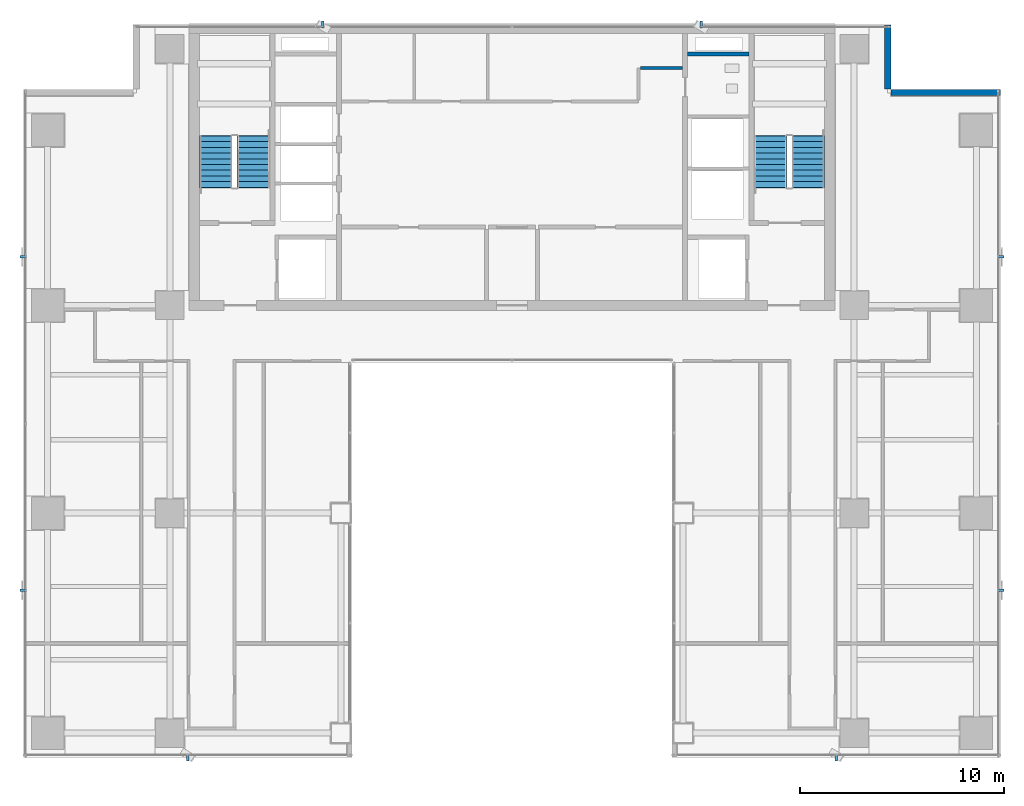
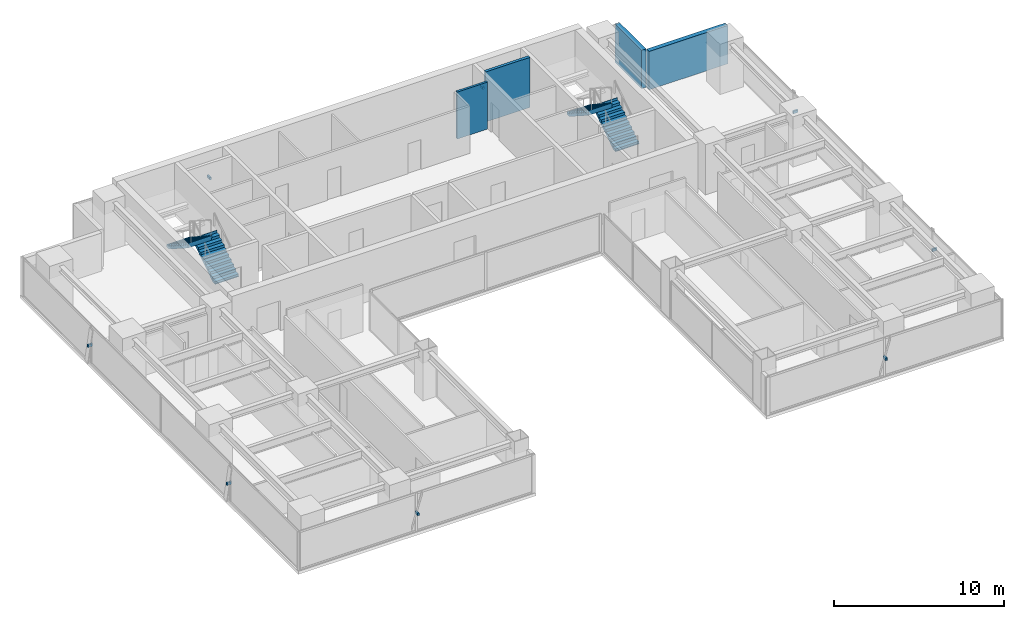
# One storey, part 26 of 30: 8 discrete accessories, 4 stair flights, 4 walls, 2 elements without a shape of their own.
"""IFC4 building model written with IfcOpenShell, lengths in metres."""

from ifc_helpers import new_model, si_unit, direction, frame, frame_2d, origin, origin_2d, place, context, subcontext, project, spatial, polyline, rectangle, outline, extrude, source, transform, mapped, material, layer, layer_set, material_profile, profile_set, type_object, element, aggregate, save


model = new_model("IFC4")

# Units and contexts
model_context = context("Model", 3, precision=1e-05, world=origin(), true_north=direction((0.0, 1.0)))
body_context = subcontext(model_context, "Body", "Model", "MODEL_VIEW")
ifc_project = project(units=[si_unit("LENGTHUNIT", "METRE"), si_unit("AREAUNIT", "SQUARE_METRE"), si_unit("VOLUMEUNIT", "CUBIC_METRE"), si_unit("PLANEANGLEUNIT", "RADIAN"), si_unit("MASSUNIT", "GRAM", prefix="KILO")], contexts=[model_context])

# Site, building, storey
site_placement = place(None, origin())
site = spatial("IfcSite", under=ifc_project, at=site_placement, CompositionType="ELEMENT")
building_placement = place(site_placement, origin())
building = spatial("IfcBuilding", under=site, at=building_placement, Name="Sumidabori Civic Tower", CompositionType="ELEMENT")
storey_placement = place(building_placement, frame((0.0, 0.0, 200.0)))
storey = spatial("IfcBuildingStorey", under=building, at=storey_placement, Name="L51", CompositionType="ELEMENT", Elevation=200.0)

# Walls
ifc_material_1 = material(Name="Concrete C50/60", Category="concrete")
ifc_layer_1 = layer(ifc_material_1, 0.199951171875, Name="Concrete C50/60")
ifc_layer_set_1 = layer_set([ifc_layer_1], Name="Concrete C50/60")
wall_type_1 = type_object("IfcWallType", Name="WL-SHAFT-200", PredefinedType="SHEAR", material=ifc_layer_set_1)
shared_shape_1 = source(origin(), body_context, "Body", "SweptSolid", [
    extrude(rectangle(XDim=3.02001953125, YDim=0.199951171875, at=frame_2d((1.510009765625, 0.0))), origin(), (0.0, 0.0, 1.0), 3.60009765625),
])
wall_1_placement = place(storey_placement, frame((8.625, 22.550048828125, 0.0), z_axis=(0.0, 0.0, 1.0), x_axis=(1.0, 0.0, 0.0)))
element("IfcWall", 1, at=wall_1_placement, inside=storey, type_object=wall_type_1, Name="Core Shear Wall L51 RIS2-S", PredefinedType="SHEAR", context=body_context, shape_type="MappedRepresentation", body=[
    mapped(shared_shape_1, transform((0.0, 0.0, 0.0), x_axis=(1.0, 0.0, 0.0), y_axis=(0.0, 1.0, 0.0), z_axis=(0.0, 0.0, 1.0), scale=1.0)),
])
ifc_material_2 = material(Name="Precast concrete C40/50", Category="concrete")
ifc_layer_2 = layer(ifc_material_2, 0.300048828125, Name="Precast concrete C40/50")
ifc_layer_set_2 = layer_set([ifc_layer_2], Name="Precast concrete C40/50")
wall_type_2 = type_object("IfcWallType", Name="WL-EXT-POD300", PredefinedType="STANDARD", material=ifc_layer_set_2)
shared_shape_2 = source(origin(), body_context, "Body", "SweptSolid", [
    extrude(rectangle(XDim=5.35986328125, YDim=0.300048828125, at=frame_2d((2.679931640625, 0.0))), origin(), (0.0, 0.0, 1.0), 2.760009765625),
])
wall_2_placement = place(storey_placement, frame((23.97998046875, 20.64990234375, 0.0), z_axis=(0.0, 0.0, 1.0), x_axis=(-1.0, 0.0, 0.0)))
element("IfcWall", 2, at=wall_2_placement, inside=storey, type_object=wall_type_2, Name="Notched Corner Spandrel Band L51-11", PredefinedType="STANDARD", context=body_context, shape_type="MappedRepresentation", body=[
    mapped(shared_shape_2, transform((0.0, 0.0, 0.0), x_axis=(1.0, 0.0, 0.0), y_axis=(0.0, 1.0, 0.0), z_axis=(0.0, 0.0, 1.0), scale=1.0)),
])
shared_shape_3 = source(origin(), body_context, "Body", "SweptSolid", [
    extrude(rectangle(XDim=3.159912109375, YDim=0.300048828125, at=frame_2d((1.580078125, 0.0))), origin(), (0.0, 0.0, 1.0), 2.760009765625),
])
wall_3_placement = place(storey_placement, frame((18.449951171875, 20.820068359375, 0.0), z_axis=(0.0, 0.0, 1.0), x_axis=(0.0, 1.0, 0.0)))
element("IfcWall", 3, at=wall_3_placement, inside=storey, type_object=wall_type_2, Name="Notched Corner Spandrel Band L51-12", PredefinedType="STANDARD", context=body_context, shape_type="MappedRepresentation", body=[
    mapped(shared_shape_3, transform((0.0, 0.0, 0.0), x_axis=(1.0, 0.0, 0.0), y_axis=(0.0, 1.0, 0.0), z_axis=(0.0, 0.0, 1.0), scale=1.0)),
])
ifc_material_3 = material(Name="Gypsum Plasterboard Acoustic Partition")
ifc_layer_3 = layer(ifc_material_3, 0.14990234375, Name="Gypsum Plasterboard Acoustic Partition")
ifc_layer_set_3 = layer_set([ifc_layer_3], Name="Gypsum Plasterboard Acoustic Partition")
wall_type_3 = type_object("IfcWallType", Name="WL-PART-150", PredefinedType="PARTITIONING", material=ifc_layer_set_3)
shared_shape_4 = source(origin(), body_context, "Body", "SweptSolid", [
    extrude(rectangle(XDim=2.070068359375, YDim=0.14990234375, at=frame_2d((1.03515625, 0.0))), origin(), (0.0, 0.0, 1.0), 3.3798828125),
])
wall_4_placement = place(storey_placement, frame((6.300048828125, 21.85009765625, 0.0), z_axis=(0.0, 0.0, 1.0), x_axis=(1.0, 0.0, 0.0)))
element("IfcWall", 4, at=wall_4_placement, inside=storey, type_object=wall_type_3, Name="Interior Partition WL:L51:CBAND-ME2", PredefinedType="PARTITIONING", context=body_context, shape_type="MappedRepresentation", body=[
    mapped(shared_shape_4, transform((0.0, 0.0, 0.0), x_axis=(1.0, 0.0, 0.0), y_axis=(0.0, 1.0, 0.0), z_axis=(0.0, 0.0, 1.0), scale=1.0)),
])

# Stair, stair flights
ifc_material_4 = material(Name="Concrete C40/50", Category="concrete")
stair_type = type_object("IfcStairType", Name="ST-CORE-1600", PredefinedType="HALF_TURN_STAIR", material=ifc_material_4)
stair_1_placement = place(storey_placement, origin())
stair_1 = element("IfcStair", 5, at=stair_1_placement, inside=storey, type_object=stair_type, Name="L51 ST-1", PredefinedType="HALF_TURN_STAIR")
stair_flight_type = type_object("IfcStairFlightType", Name="SF-CORE-1600", PredefinedType="STRAIGHT", material=ifc_material_4)
shared_shape_5 = source(origin(), body_context, "Body", "SweptSolid", [
    extrude(outline(polyline([(-0.02490234375, 0.0), (-0.02490234375, 0.0400390625), (0.0, 0.0400390625), (0.0, 0.179931640625), (0.280029296875, 0.179931640625), (0.280029296875, 0.360107421875), (0.56005859375, 0.360107421875), (0.56005859375, 0.5400390625), (0.840087890625, 0.5400390625), (0.840087890625, 0.719970703125), (1.1201171875, 0.719970703125), (1.1201171875, 0.89990234375), (1.39990234375, 0.89990234375), (1.39990234375, 1.080078125), (1.679931640625, 1.080078125), (1.679931640625, 1.260009765625), (1.9599609375, 1.260009765625), (1.9599609375, 1.43994140625), (2.239990234375, 1.43994140625), (2.239990234375, 1.6201171875), (2.52001953125, 1.6201171875), (2.52001953125, 1.800048828125), (2.544921875, 1.800048828125), (2.544921875, 1.650146484375), (2.52001953125, 1.44189453125), (0.277099609375, 0.0), (-0.02490234375, 0.0)])), frame((0.0, 0.800048828125, 0.0), z_axis=(0.0, -1.0, 0.0), x_axis=(1.0, 0.0, 0.0)), (0.0, 0.0, 1.0), 1.60009765625),
])
stair_flight_1_placement = place(storey_placement, frame((-12.699951171875, 16.0, 0.0), z_axis=(0.0, 0.0, 1.0), x_axis=(0.0, 1.0, 0.0)))
stair_flight_1 = element("IfcStairFlight", 6, at=stair_flight_1_placement, type_object=stair_flight_type, Name="ST-1 flight 1", NumberOfRisers=10, NumberOfTreads=9, PredefinedType="STRAIGHT", RiserHeight=0.18, TreadLength=0.28, context=body_context, shape_type="MappedRepresentation", body=[
    mapped(shared_shape_5, transform((0.0, 0.0, 0.0), x_axis=(1.0, 0.0, 0.0), y_axis=(0.0, 1.0, 0.0), z_axis=(0.0, 0.0, 1.0), scale=1.0)),
])
stair_flight_2_placement = place(storey_placement, frame((-14.5400390625, 18.52001953125, 1.800048828125), z_axis=(0.0, 0.0, 1.0), x_axis=(0.0, -1.0, 0.0)))
stair_flight_2 = element("IfcStairFlight", 7, at=stair_flight_2_placement, type_object=stair_flight_type, Name="ST-1 flight 2", NumberOfRisers=10, NumberOfTreads=9, PredefinedType="STRAIGHT", RiserHeight=0.18, TreadLength=0.28, context=body_context, shape_type="MappedRepresentation", body=[
    mapped(shared_shape_5, transform((0.0, 0.0, 0.0), x_axis=(1.0, 0.0, 0.0), y_axis=(0.0, 1.0, 0.0), z_axis=(0.0, 0.0, 1.0), scale=1.0)),
])
aggregate(stair_1, [stair_flight_1, stair_flight_2])

stair_2_placement = place(storey_placement, origin())
stair_2 = element("IfcStair", 8, at=stair_2_placement, inside=storey, type_object=stair_type, Name="L51 ST-2", PredefinedType="HALF_TURN_STAIR")
stair_flight_3_placement = place(storey_placement, frame((14.5400390625, 16.0, 0.0), z_axis=(0.0, 0.0, 1.0), x_axis=(0.0, 1.0, 0.0)))
stair_flight_3 = element("IfcStairFlight", 9, at=stair_flight_3_placement, type_object=stair_flight_type, Name="ST-2 flight 1", NumberOfRisers=10, NumberOfTreads=9, PredefinedType="STRAIGHT", RiserHeight=0.18, TreadLength=0.28, context=body_context, shape_type="MappedRepresentation", body=[
    mapped(shared_shape_5, transform((0.0, 0.0, 0.0), x_axis=(1.0, 0.0, 0.0), y_axis=(0.0, 1.0, 0.0), z_axis=(0.0, 0.0, 1.0), scale=1.0)),
])
stair_flight_4_placement = place(storey_placement, frame((12.699951171875, 18.52001953125, 1.800048828125), z_axis=(0.0, 0.0, 1.0), x_axis=(0.0, -1.0, 0.0)))
stair_flight_4 = element("IfcStairFlight", 10, at=stair_flight_4_placement, type_object=stair_flight_type, Name="ST-2 flight 2", NumberOfRisers=10, NumberOfTreads=9, PredefinedType="STRAIGHT", RiserHeight=0.18, TreadLength=0.28, context=body_context, shape_type="MappedRepresentation", body=[
    mapped(shared_shape_5, transform((0.0, 0.0, 0.0), x_axis=(1.0, 0.0, 0.0), y_axis=(0.0, 1.0, 0.0), z_axis=(0.0, 0.0, 1.0), scale=1.0)),
])
aggregate(stair_2, [stair_flight_3, stair_flight_4])

# Discrete accessories
ifc_material_5 = material(Name="Stainless Steel Hairline Finish", Category="steel")
ifc_material_profile = material_profile(ifc_material_5, rectangle(XDim=0.1201171875, YDim=0.179931640625, at=origin_2d()), Name="STEEL BRACKET 180x120")
ifc_profile_set = profile_set([ifc_material_profile], Name="Stainless Steel Hairline Finish")
discrete_accessory_type = type_object("IfcDiscreteAccessoryType", Name="AC-BRK-180", PredefinedType="BRACKET", material=ifc_profile_set)
shared_shape_6 = source(origin(), body_context, "Body", "SweptSolid", [
    extrude(rectangle(XDim=0.1201171875, YDim=0.179931640625, at=origin_2d()), origin(), (0.0, 0.0, 1.0), 0.329833984375),
])
for number, where, z_axis, x_axis, name in (
    (11, (-15.925048828125, -11.830078125, 1.3701171875), (0.0, -1.0, 0.0), (1.0, 0.0, 0.0), "Bronze Fin Fixing Bracket L51-01"),
    (12, (15.925048828125, -11.830078125, 1.3701171875), (0.0, -1.0, 0.0), (1.0, 0.0, 0.0), "Bronze Fin Fixing Bracket L51-01"),
    (13, (23.830078125, -3.784912109375, 1.3701171875), (1.0, 0.0, 0.0), (0.0, 1.0, 0.0), "Bronze Fin Fixing Bracket L51-01"),
    (14, (23.830078125, 12.5849609375, 1.3701171875), (1.0, 0.0, 0.0), (0.0, 1.0, 0.0), "Bronze Fin Fixing Bracket L51-03"),
    (15, (9.284912109375, 23.830078125, 1.3701171875), (0.0, 1.0, 0.0), (-1.0, 0.0, 0.0), "Bronze Fin Fixing Bracket L51-01"),
    (16, (-9.284912109375, 23.830078125, 1.3701171875), (0.0, 1.0, 0.0), (-1.0, 0.0, 0.0), "Bronze Fin Fixing Bracket L51-03"),
    (17, (-23.830078125, 12.5849609375, 1.3701171875), (-1.0, 0.0, 0.0), (0.0, -1.0, 0.0), "Bronze Fin Fixing Bracket L51-01"),
    (18, (-23.830078125, -3.784912109375, 1.3701171875), (-1.0, 0.0, 0.0), (0.0, -1.0, 0.0), "Bronze Fin Fixing Bracket L51-03"),
):
    element("IfcDiscreteAccessory", number, at=place(storey_placement, frame(where, z_axis=z_axis, x_axis=x_axis)), inside=storey, type_object=discrete_accessory_type, Name=name, PredefinedType="BRACKET", context=body_context, shape_type="MappedRepresentation", body=[
        mapped(shared_shape_6, transform((0.0, 0.0, 0.0), x_axis=(1.0, 0.0, 0.0), y_axis=(0.0, 1.0, 0.0), z_axis=(0.0, 0.0, 1.0), scale=1.0)),
    ])

save(model, "model.ifc")
